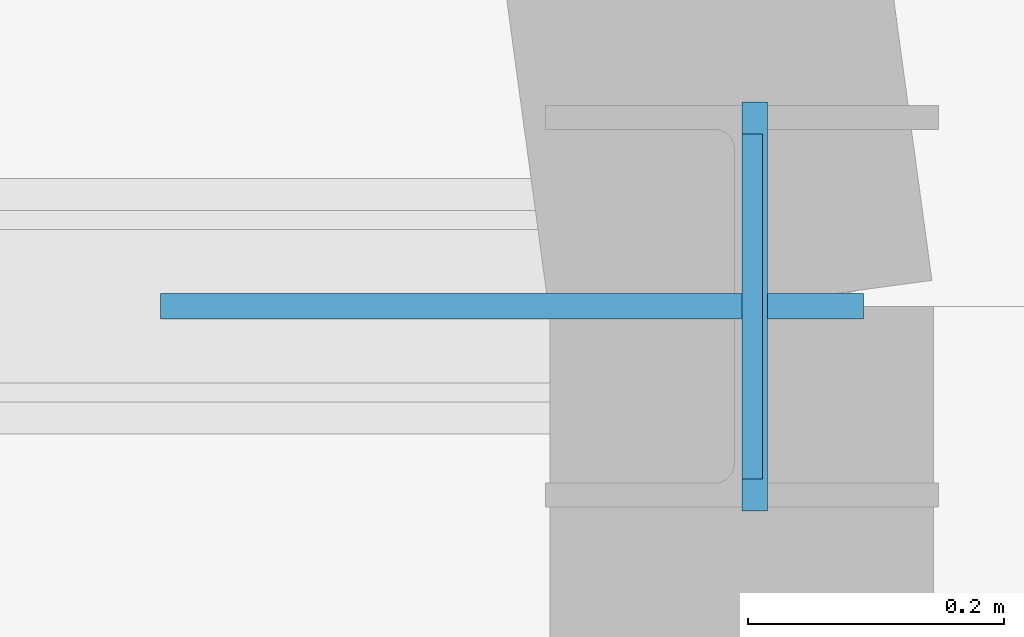
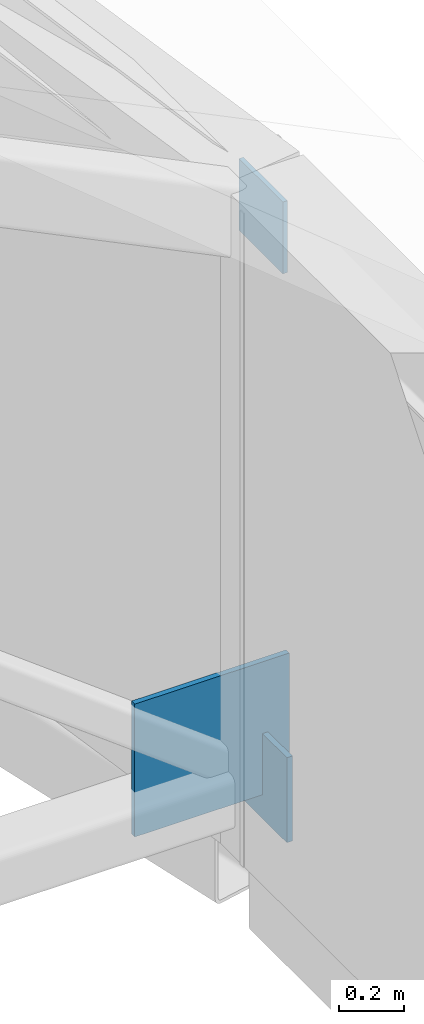
# One storey, part 47 of 78: 3 plates.
"""IFC4 building model written with IfcOpenShell, lengths in metres."""

from ifc_helpers import new_model, si_unit, direction, frame, origin, origin_2d, place, context, subcontext, project, spatial, rectangle, extrude, material, layer, layer_set, type_object, element, save


model = new_model("IFC4")

# Units and contexts
model_context = context("Model", 3, precision=1e-05, world=origin(), true_north=direction((0.0, 1.0)))
body_context = subcontext(model_context, "Body", "Model", "MODEL_VIEW")
ifc_project = project(units=[si_unit("LENGTHUNIT", "METRE"), si_unit("AREAUNIT", "SQUARE_METRE"), si_unit("VOLUMEUNIT", "CUBIC_METRE"), si_unit("PLANEANGLEUNIT", "RADIAN"), si_unit("MASSUNIT", "GRAM", prefix="KILO")], contexts=[model_context])

# Site, building, storey
site_placement = place(None, origin())
site = spatial("IfcSite", under=ifc_project, at=site_placement, CompositionType="ELEMENT")
building_placement = place(site_placement, origin())
building = spatial("IfcBuilding", under=site, at=building_placement, Name="Kelanivale Promenade Academy", CompositionType="ELEMENT")
storey_placement = place(building_placement, frame((0.0, 0.0, 16.199951171875)))
storey = spatial("IfcBuildingStorey", under=building, at=storey_placement, Name="L04", CompositionType="ELEMENT", Elevation=16.199951171875)

# Plates
ifc_material = material(Name="Steel S355", Category="steel")
ifc_layer_1 = layer(ifc_material, 0.01611328125)
ifc_layer_set_1 = layer_set([ifc_layer_1], Name="Steel S355")
plate_type_1 = type_object("IfcPlateType", Name="TN-CP16 Plate 16mm", PredefinedType="USERDEFINED", material=ifc_layer_set_1)
plate_1_placement = place(storey_placement, frame((35.4580078125, 66.14306640625, 2.166015625), z_axis=(0.0, 0.0, 1.0), x_axis=(1.0, 0.0, 0.0)))
element("IfcPlate", 1, at=plate_1_placement, inside=storey, type_object=plate_type_1, Name="ROOF TRUSS TN-5 hollow-section end cap plate", ObjectType="CAP PLATE", PredefinedType="USERDEFINED", context=body_context, shape_type="SweptSolid", body=[
    extrude(rectangle(XDim=0.01611328125, YDim=0.27001953125, at=origin_2d()), origin(), (0.0, 0.0, 1.0), 0.27001953125),
])
ifc_layer_2 = layer(ifc_material, 0.02001953125)
ifc_layer_set_2 = layer_set([ifc_layer_2], Name="Steel S355")
plate_type_2 = type_object("IfcPlateType", Name="TN-CP20 Plate 20mm", PredefinedType="USERDEFINED", material=ifc_layer_set_2)
plate_2_placement = place(storey_placement, frame((35.4599609375, 66.14306640625, 0.0400390625), z_axis=(0.0, 0.0, 1.0), x_axis=(1.0, 0.0, 0.0)))
element("IfcPlate", 2, at=plate_2_placement, inside=storey, type_object=plate_type_2, Name="ROOF TRUSS TN-5 hollow-section end cap plate", ObjectType="CAP PLATE", PredefinedType="USERDEFINED", context=body_context, shape_type="SweptSolid", body=[
    extrude(rectangle(XDim=0.02001953125, YDim=0.320068359375, at=origin_2d()), origin(), (0.0, 0.0, 1.0), 0.320068359375),
])
ifc_layer_3 = layer(ifc_material, 0.02001953125)
ifc_layer_set_3 = layer_set([ifc_layer_3], Name="Steel S355")
plate_type_3 = type_object("IfcPlateType", Name="TN-GP20 Plate 20mm", PredefinedType="USERDEFINED", material=ifc_layer_set_3)
plate_3_placement = place(storey_placement, frame((35.27001953125, 66.14306640625, 0.130126953125), z_axis=(0.0, 0.0, 1.0), x_axis=(1.0, 0.0, 0.0)))
element("IfcPlate", 3, at=plate_3_placement, inside=storey, type_object=plate_type_3, Name="ROOF TRUSS TN-5 welded node gusset plate", ObjectType="GUSSET PLATE", PredefinedType="USERDEFINED", context=body_context, shape_type="SweptSolid", body=[
    extrude(rectangle(XDim=0.550048828125, YDim=0.02001953125, at=origin_2d()), origin(), (0.0, 0.0, 1.0), 0.5),
])

save(model, "model.ifc")
